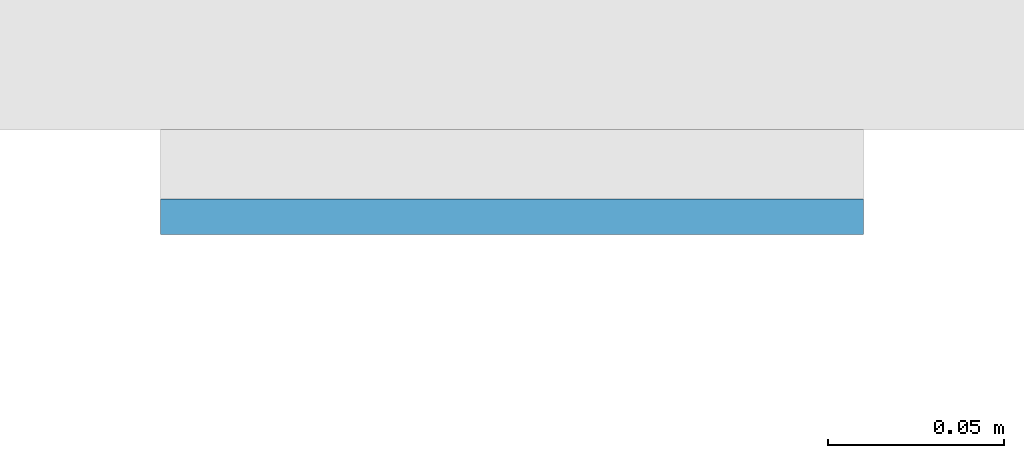
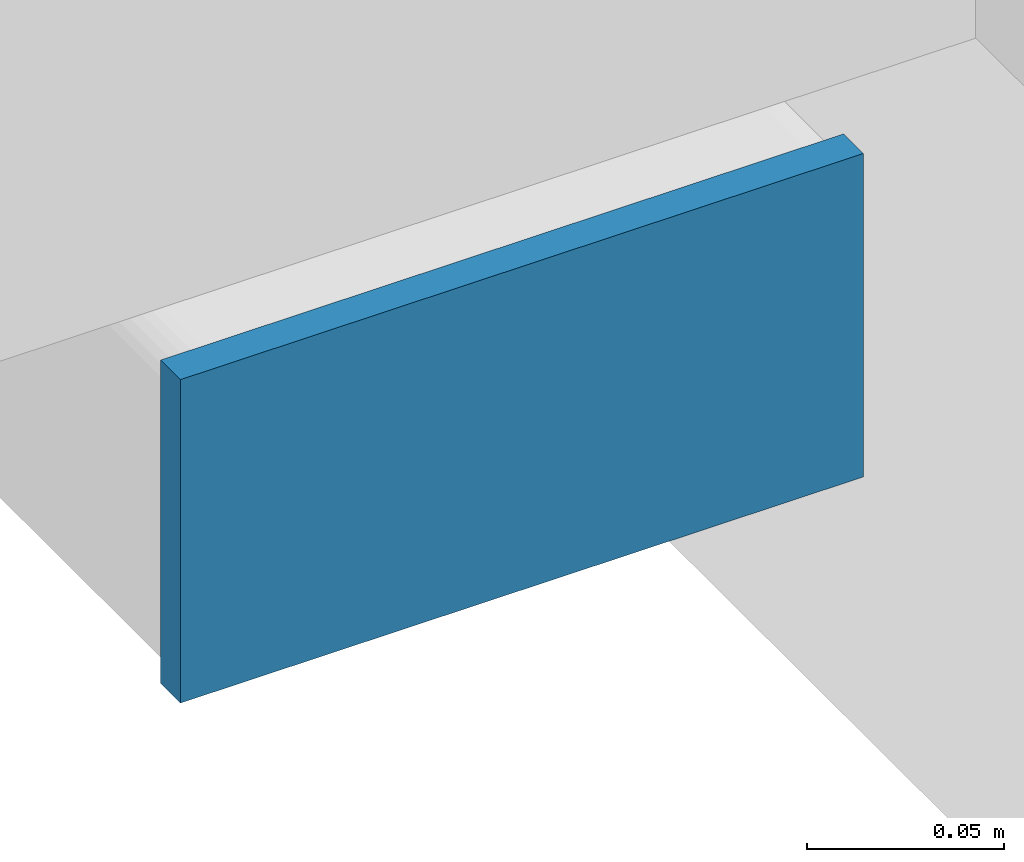
# One storey, part 8 of 20: 1 plate.
"""IFC4 building model written with IfcOpenShell, lengths in metres."""

from ifc_helpers import new_model, si_unit, direction, frame, origin, origin_2d, place, context, subcontext, project, spatial, rectangle, extrude, material, layer, layer_set, type_object, element, save


model = new_model("IFC4")

# Units and contexts
model_context = context("Model", 3, precision=1e-05, world=origin(), true_north=direction((0.0, 1.0)))
body_context = subcontext(model_context, "Body", "Model", "MODEL_VIEW")
ifc_project = project(units=[si_unit("LENGTHUNIT", "METRE"), si_unit("AREAUNIT", "SQUARE_METRE"), si_unit("VOLUMEUNIT", "CUBIC_METRE"), si_unit("PLANEANGLEUNIT", "RADIAN"), si_unit("MASSUNIT", "GRAM", prefix="KILO")], contexts=[model_context])

# Site, building, storey
site_placement = place(None, origin())
site = spatial("IfcSite", under=ifc_project, at=site_placement, CompositionType="ELEMENT")
building_placement = place(site_placement, origin())
building = spatial("IfcBuilding", under=site, at=building_placement, Name="Cleftline Residences", CompositionType="ELEMENT")
storey_placement = place(building_placement, frame((0.0, 0.0, 72.800048828125)))
storey = spatial("IfcBuildingStorey", under=building, at=storey_placement, Name="L18", CompositionType="ELEMENT", Elevation=72.800048828125)

# Plate
ifc_material = material(Name="Steel S355, hot-dip galvanised", Category="steel")
ifc_layer = layer(ifc_material, 0.010009765625)
ifc_layer_set = layer_set([ifc_layer], Name="BAGUETTE CARRIER END PLATE 200X100X10")
plate_type = type_object("IfcPlateType", Name="BAGUETTE CARRIER END PLATE 200X100X10", PredefinedType="USERDEFINED", material=ifc_layer_set)
plate_placement = place(storey_placement, frame((-0.85009765625, 3.695068359375, -0.10009765625), z_axis=(0.0, 0.0, 1.0), x_axis=(-1.0, 0.0, 0.0)))
element("IfcPlate", 1, at=plate_placement, inside=storey, type_object=plate_type, Name="Baguette carrier end plate", ObjectType="BAGUETTE CARRIER END PLATE", PredefinedType="USERDEFINED", context=body_context, shape_type="SweptSolid", body=[
    extrude(rectangle(XDim=0.199951171875, YDim=0.010009765625, at=origin_2d()), origin(), (0.0, 0.0, 1.0), 0.10009765625),
])

save(model, "model.ifc")
